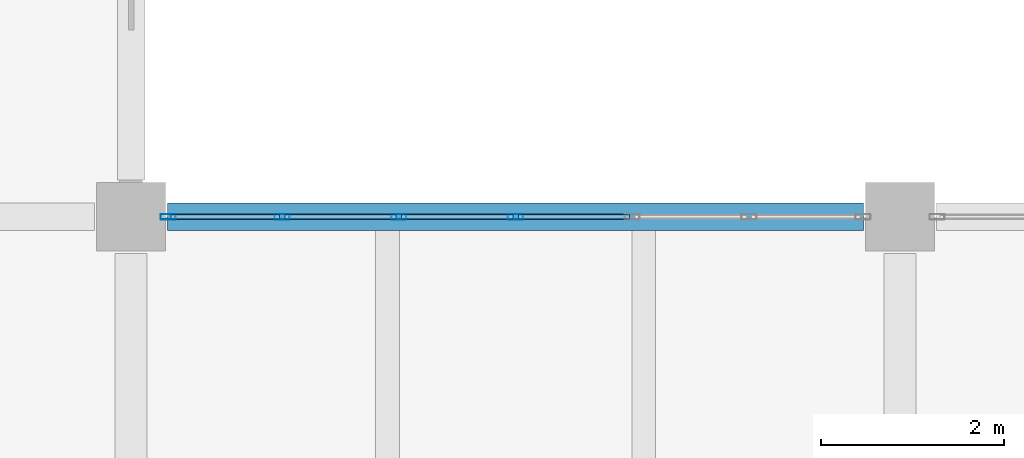
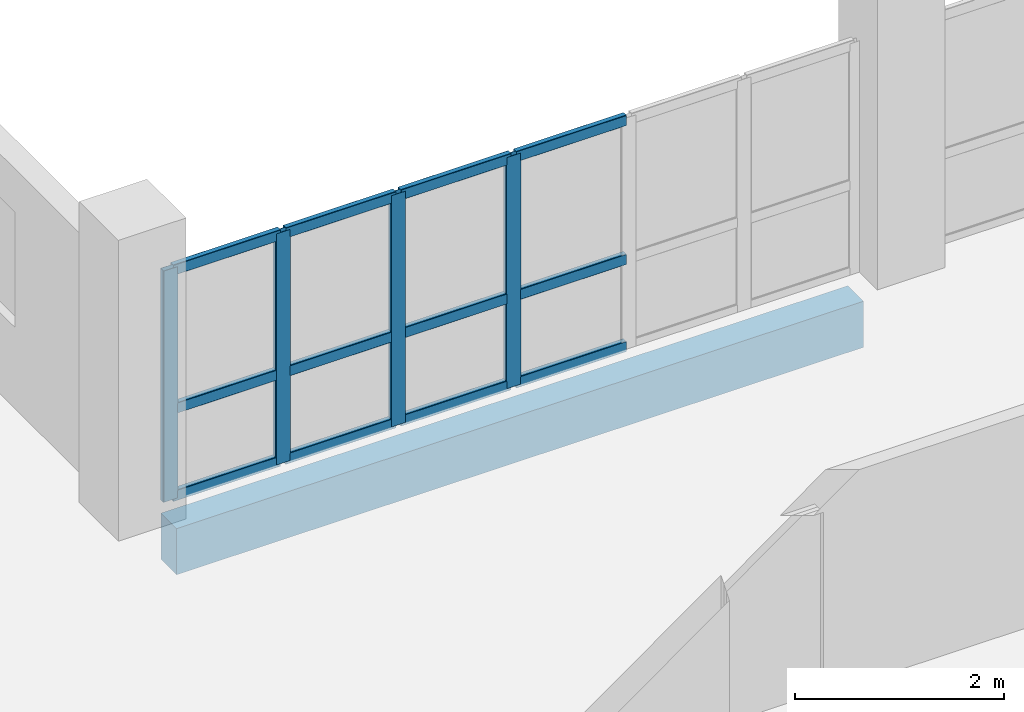
# One storey, part 12 of 95: 16 members, 1 beam, 1 element without a shape of its own.
"""IFC4 building model written with IfcOpenShell, lengths in metres."""

from ifc_helpers import new_model, si_unit, direction, frame, origin, origin_2d, place, context, subcontext, project, spatial, rectangle, hollow_rectangle, extrude, material, layer, layer_set, material_profile, profile_set, type_object, element, aggregate, save


model = new_model("IFC4")

# Units and contexts
model_context = context("Model", 3, precision=1e-05, world=origin(), true_north=direction((0.0, 1.0)))
body_context = subcontext(model_context, "Body", "Model", "MODEL_VIEW")
ifc_project = project(units=[si_unit("LENGTHUNIT", "METRE"), si_unit("AREAUNIT", "SQUARE_METRE"), si_unit("VOLUMEUNIT", "CUBIC_METRE"), si_unit("PLANEANGLEUNIT", "RADIAN"), si_unit("MASSUNIT", "GRAM", prefix="KILO"), si_unit("THERMODYNAMICTEMPERATUREUNIT", "KELVIN"), si_unit("POWERUNIT", "WATT")], contexts=[model_context])

# Site, building, storey
site_placement = place(None, origin())
site = spatial("IfcSite", under=ifc_project, at=site_placement, CompositionType="ELEMENT")
building_placement = place(site_placement, origin())
building = spatial("IfcBuilding", under=site, at=building_placement, Name="Mavoryth Pier Ferry Terminal", CompositionType="ELEMENT")
storey_placement = place(building_placement, frame((0.0, 0.0, 9.60009765625)))
storey = spatial("IfcBuildingStorey", under=building, at=storey_placement, Name="L02", CompositionType="ELEMENT", Elevation=9.60009765625)

# Curtain wall, members
ifc_material_1 = material(Name="Anodised Aluminium and Solar-Control Low-E Glass", Category="aluminium")
ifc_layer = layer(ifc_material_1, 0.239990234375, Name="Anodised Aluminium and Solar-Control Low-E Glass", Category="aluminium")
ifc_layer_set = layer_set([ifc_layer], Name="Anodised Aluminium and Solar-Control Low-E Glass - CW-Operations-Mod1200")
curtain_wall_type = type_object("IfcCurtainWallType", Name="CW-Operations-Mod1200", PredefinedType="USERDEFINED", material=ifc_layer_set)
curtain_wall_placement = place(storey_placement, origin())
curtain_wall = element("IfcCurtainWall", 1, at=curtain_wall_placement, inside=storey, type_object=curtain_wall_type, Name="Curtain Wall CW-0222-126", ObjectType="UNITISED CURTAIN WALL", PredefinedType="USERDEFINED")
ifc_material_2 = material(Name="Anodised Aluminium EN AW-6063", Category="aluminium")
ifc_material_profile_1 = material_profile(ifc_material_2, hollow_rectangle(XDim=0.06005859375, YDim=0.1650390625, WallThickness=0.00390625, InnerFilletRadius=0.00390625, OuterFilletRadius=0.008056640625, at=origin_2d()), Name="AL-MULL 165x60x4", Category="aluminium")
ifc_profile_set_1 = profile_set([ifc_material_profile_1], Name="Anodised Aluminium EN AW-6063 - AL-MULL 165x60x4")
member_type_1 = type_object("IfcMemberType", Name="Mullion-Alum-165x60", PredefinedType="MULLION", material=ifc_profile_set_1)
member_1_placement = place(storey_placement, frame((63.0, 22.0, 0.0), z_axis=(0.0, 0.0, 1.0), x_axis=(0.0, -1.0, 0.0)))
member_1 = element("IfcMember", 2, at=member_1_placement, type_object=member_type_1, Name="CW06 mullion 4", PredefinedType="MULLION", context=body_context, shape_type="SweptSolid", body=[
    extrude(hollow_rectangle(XDim=0.06005859375, YDim=0.1650390625, WallThickness=0.00390625, InnerFilletRadius=0.00390625, OuterFilletRadius=0.008056640625, at=origin_2d()), origin(), (0.0, 0.0, 1.0), 2.704833984375),
])
member_2_placement = place(storey_placement, frame((61.72509765625, 22.0, 0.0), z_axis=(0.0, 0.0, 1.0), x_axis=(0.0, -1.0, 0.0)))
member_2 = element("IfcMember", 3, at=member_2_placement, type_object=member_type_1, Name="CW06 mullion 5", PredefinedType="MULLION", context=body_context, shape_type="SweptSolid", body=[
    extrude(hollow_rectangle(XDim=0.06005859375, YDim=0.1650390625, WallThickness=0.00390625, InnerFilletRadius=0.00390625, OuterFilletRadius=0.008056640625, at=origin_2d()), origin(), (0.0, 0.0, 1.0), 2.704833984375),
])
member_3_placement = place(storey_placement, frame((60.449951171875, 22.0, 0.0), z_axis=(0.0, 0.0, 1.0), x_axis=(0.0, -1.0, 0.0)))
member_3 = element("IfcMember", 4, at=member_3_placement, type_object=member_type_1, Name="CW06 mullion 6", PredefinedType="MULLION", context=body_context, shape_type="SweptSolid", body=[
    extrude(hollow_rectangle(XDim=0.06005859375, YDim=0.1650390625, WallThickness=0.00390625, InnerFilletRadius=0.00390625, OuterFilletRadius=0.008056640625, at=origin_2d()), origin(), (0.0, 0.0, 1.0), 2.704833984375),
])
member_4_placement = place(storey_placement, frame((59.205078125, 22.0, 0.0), z_axis=(0.0, 0.0, 1.0), x_axis=(0.0, -1.0, 0.0)))
member_4 = element("IfcMember", 5, at=member_4_placement, type_object=member_type_1, Name="CW06 mullion 7", PredefinedType="MULLION", context=body_context, shape_type="SweptSolid", body=[
    extrude(hollow_rectangle(XDim=0.06005859375, YDim=0.1650390625, WallThickness=0.00390625, InnerFilletRadius=0.00390625, OuterFilletRadius=0.008056640625, at=origin_2d()), origin(), (0.0, 0.0, 1.0), 2.704833984375),
])

# Beam
ifc_material_3 = material(Name="Concrete C35/45", Category="concrete")
ifc_material_profile_2 = material_profile(ifc_material_3, rectangle(XDim=0.300048828125, YDim=0.5400390625, at=origin_2d()), Name="RC 300x540", Category="concrete")
ifc_profile_set_2 = profile_set([ifc_material_profile_2], Name="Concrete C35/45 - RC 300x540")
beam_type = type_object("IfcBeamType", Name="Spandrel-RC-300x540", PredefinedType="SPANDREL", material=ifc_profile_set_2)
beam_placement = place(storey_placement, frame((59.199951171875, 22.0, -0.530029296875), z_axis=(1.0, 0.0, 0.0), x_axis=(0.0, 1.0, 0.0)))
element("IfcBeam", 6, at=beam_placement, inside=storey, type_object=beam_type, Name="Beam B02-SP02-0971", PredefinedType="SPANDREL", context=body_context, shape_type="SweptSolid", body=[
    extrude(rectangle(XDim=0.300048828125, YDim=0.5400390625, at=origin_2d()), origin(), (0.0, 0.0, 1.0), 7.60009765625),
])

# Member
ifc_material_profile_3 = material_profile(ifc_material_2, hollow_rectangle(XDim=0.06005859375, YDim=0.125, WallThickness=0.00390625, InnerFilletRadius=0.00390625, OuterFilletRadius=0.008056640625, at=origin_2d()), Name="AL-TRAN 125x60x4", Category="aluminium")
ifc_profile_set_3 = profile_set([ifc_material_profile_3], Name="Anodised Aluminium EN AW-6063 - AL-TRAN 125x60x4")
member_type_2 = type_object("IfcMemberType", Name="Transom-Alum-125x60", PredefinedType="USERDEFINED", material=ifc_profile_set_3)
member_5_placement = place(storey_placement, frame((64.2451171875, 22.0, 0.02978515625), z_axis=(-1.0, 0.0, 0.0), x_axis=(0.0, -1.0, 0.0)))
member_5 = element("IfcMember", 7, at=member_5_placement, type_object=member_type_2, Name="CW06 transom 3.1", ObjectType="TRANSOM", PredefinedType="USERDEFINED", context=body_context, shape_type="SweptSolid", body=[
    extrude(hollow_rectangle(XDim=0.06005859375, YDim=0.125, WallThickness=0.00390625, InnerFilletRadius=0.00390625, OuterFilletRadius=0.008056640625, at=origin_2d()), origin(), (0.0, 0.0, 1.0), 1.215087890625),
])

member_6_placement = place(storey_placement, frame((64.2451171875, 22.0, 1.0498046875), z_axis=(-1.0, 0.0, 0.0), x_axis=(0.0, -1.0, 0.0)))
member_6 = element("IfcMember", 8, at=member_6_placement, type_object=member_type_2, Name="CW06 transom 3.2", ObjectType="TRANSOM", PredefinedType="USERDEFINED", context=body_context, shape_type="SweptSolid", body=[
    extrude(hollow_rectangle(XDim=0.06005859375, YDim=0.125, WallThickness=0.00390625, InnerFilletRadius=0.00390625, OuterFilletRadius=0.008056640625, at=origin_2d()), origin(), (0.0, 0.0, 1.0), 1.215087890625),
])

member_7_placement = place(storey_placement, frame((64.2451171875, 22.0, 2.6748046875), z_axis=(-1.0, 0.0, 0.0), x_axis=(0.0, -1.0, 0.0)))
member_7 = element("IfcMember", 9, at=member_7_placement, type_object=member_type_2, Name="CW06 transom 3.3", ObjectType="TRANSOM", PredefinedType="USERDEFINED", context=body_context, shape_type="SweptSolid", body=[
    extrude(hollow_rectangle(XDim=0.06005859375, YDim=0.125, WallThickness=0.00390625, InnerFilletRadius=0.00390625, OuterFilletRadius=0.008056640625, at=origin_2d()), origin(), (0.0, 0.0, 1.0), 1.215087890625),
])

member_8_placement = place(storey_placement, frame((62.969970703125, 22.0, 0.02978515625), z_axis=(-1.0, 0.0, 0.0), x_axis=(0.0, -1.0, 0.0)))
member_8 = element("IfcMember", 10, at=member_8_placement, type_object=member_type_2, Name="CW06 transom 4.1", ObjectType="TRANSOM", PredefinedType="USERDEFINED", context=body_context, shape_type="SweptSolid", body=[
    extrude(hollow_rectangle(XDim=0.06005859375, YDim=0.125, WallThickness=0.00390625, InnerFilletRadius=0.00390625, OuterFilletRadius=0.008056640625, at=origin_2d()), origin(), (0.0, 0.0, 1.0), 1.215087890625),
])

member_9_placement = place(storey_placement, frame((62.969970703125, 22.0, 1.0498046875), z_axis=(-1.0, 0.0, 0.0), x_axis=(0.0, -1.0, 0.0)))
member_9 = element("IfcMember", 11, at=member_9_placement, type_object=member_type_2, Name="CW06 transom 4.2", ObjectType="TRANSOM", PredefinedType="USERDEFINED", context=body_context, shape_type="SweptSolid", body=[
    extrude(hollow_rectangle(XDim=0.06005859375, YDim=0.125, WallThickness=0.00390625, InnerFilletRadius=0.00390625, OuterFilletRadius=0.008056640625, at=origin_2d()), origin(), (0.0, 0.0, 1.0), 1.215087890625),
])

member_10_placement = place(storey_placement, frame((62.969970703125, 22.0, 2.6748046875), z_axis=(-1.0, 0.0, 0.0), x_axis=(0.0, -1.0, 0.0)))
member_10 = element("IfcMember", 12, at=member_10_placement, type_object=member_type_2, Name="CW06 transom 4.3", ObjectType="TRANSOM", PredefinedType="USERDEFINED", context=body_context, shape_type="SweptSolid", body=[
    extrude(hollow_rectangle(XDim=0.06005859375, YDim=0.125, WallThickness=0.00390625, InnerFilletRadius=0.00390625, OuterFilletRadius=0.008056640625, at=origin_2d()), origin(), (0.0, 0.0, 1.0), 1.215087890625),
])

member_11_placement = place(storey_placement, frame((61.695068359375, 22.0, 0.02978515625), z_axis=(-1.0, 0.0, 0.0), x_axis=(0.0, -1.0, 0.0)))
member_11 = element("IfcMember", 13, at=member_11_placement, type_object=member_type_2, Name="CW06 transom 5.1", ObjectType="TRANSOM", PredefinedType="USERDEFINED", context=body_context, shape_type="SweptSolid", body=[
    extrude(hollow_rectangle(XDim=0.06005859375, YDim=0.125, WallThickness=0.00390625, InnerFilletRadius=0.00390625, OuterFilletRadius=0.008056640625, at=origin_2d()), origin(), (0.0, 0.0, 1.0), 1.215087890625),
])

member_12_placement = place(storey_placement, frame((61.695068359375, 22.0, 1.0498046875), z_axis=(-1.0, 0.0, 0.0), x_axis=(0.0, -1.0, 0.0)))
member_12 = element("IfcMember", 14, at=member_12_placement, type_object=member_type_2, Name="CW06 transom 5.2", ObjectType="TRANSOM", PredefinedType="USERDEFINED", context=body_context, shape_type="SweptSolid", body=[
    extrude(hollow_rectangle(XDim=0.06005859375, YDim=0.125, WallThickness=0.00390625, InnerFilletRadius=0.00390625, OuterFilletRadius=0.008056640625, at=origin_2d()), origin(), (0.0, 0.0, 1.0), 1.215087890625),
])

member_13_placement = place(storey_placement, frame((61.695068359375, 22.0, 2.6748046875), z_axis=(-1.0, 0.0, 0.0), x_axis=(0.0, -1.0, 0.0)))
member_13 = element("IfcMember", 15, at=member_13_placement, type_object=member_type_2, Name="CW06 transom 5.3", ObjectType="TRANSOM", PredefinedType="USERDEFINED", context=body_context, shape_type="SweptSolid", body=[
    extrude(hollow_rectangle(XDim=0.06005859375, YDim=0.125, WallThickness=0.00390625, InnerFilletRadius=0.00390625, OuterFilletRadius=0.008056640625, at=origin_2d()), origin(), (0.0, 0.0, 1.0), 1.215087890625),
])

member_14_placement = place(storey_placement, frame((60.419921875, 22.0, 0.02978515625), z_axis=(-1.0, 0.0, 0.0), x_axis=(0.0, -1.0, 0.0)))
member_14 = element("IfcMember", 16, at=member_14_placement, type_object=member_type_2, Name="CW06 transom 6.1", ObjectType="TRANSOM", PredefinedType="USERDEFINED", context=body_context, shape_type="SweptSolid", body=[
    extrude(hollow_rectangle(XDim=0.06005859375, YDim=0.125, WallThickness=0.00390625, InnerFilletRadius=0.00390625, OuterFilletRadius=0.008056640625, at=origin_2d()), origin(), (0.0, 0.0, 1.0), 1.184814453125),
])

member_15_placement = place(storey_placement, frame((60.419921875, 22.0, 1.0498046875), z_axis=(-1.0, 0.0, 0.0), x_axis=(0.0, -1.0, 0.0)))
member_15 = element("IfcMember", 17, at=member_15_placement, type_object=member_type_2, Name="CW06 transom 6.2", ObjectType="TRANSOM", PredefinedType="USERDEFINED", context=body_context, shape_type="SweptSolid", body=[
    extrude(hollow_rectangle(XDim=0.06005859375, YDim=0.125, WallThickness=0.00390625, InnerFilletRadius=0.00390625, OuterFilletRadius=0.008056640625, at=origin_2d()), origin(), (0.0, 0.0, 1.0), 1.184814453125),
])

member_16_placement = place(storey_placement, frame((60.419921875, 22.0, 2.6748046875), z_axis=(-1.0, 0.0, 0.0), x_axis=(0.0, -1.0, 0.0)))
member_16 = element("IfcMember", 18, at=member_16_placement, type_object=member_type_2, Name="CW06 transom 6.3", ObjectType="TRANSOM", PredefinedType="USERDEFINED", context=body_context, shape_type="SweptSolid", body=[
    extrude(hollow_rectangle(XDim=0.06005859375, YDim=0.125, WallThickness=0.00390625, InnerFilletRadius=0.00390625, OuterFilletRadius=0.008056640625, at=origin_2d()), origin(), (0.0, 0.0, 1.0), 1.184814453125),
])

aggregate(curtain_wall, [member_1, member_2, member_3, member_4, member_5, member_6, member_7, member_8, member_9, member_10, member_11, member_12, member_13, member_14, member_15, member_16])

save(model, "model.ifc")
